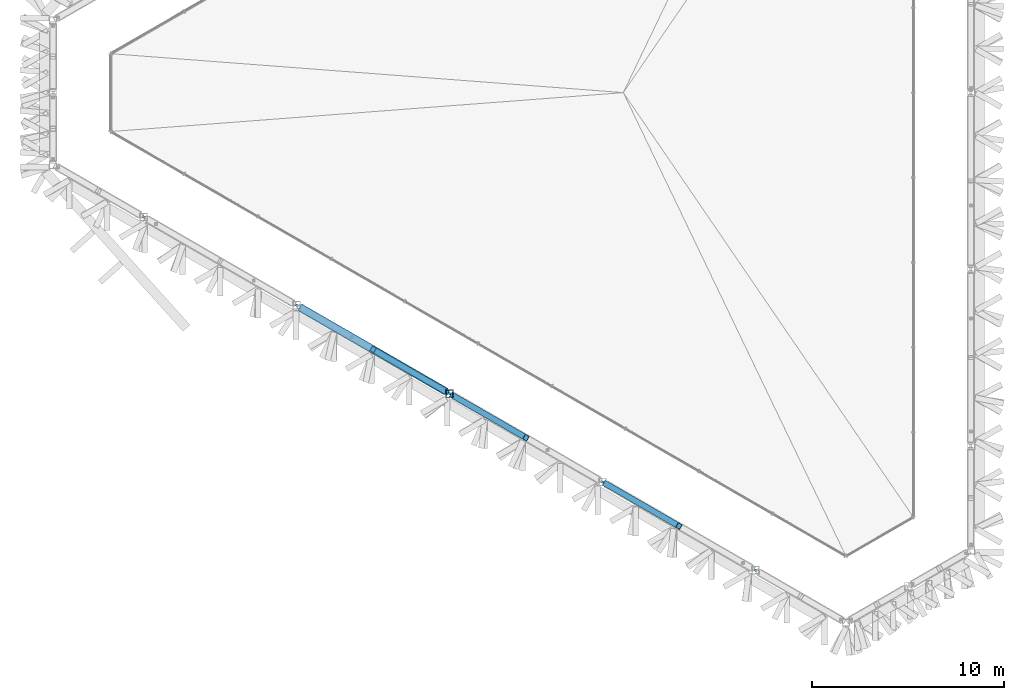
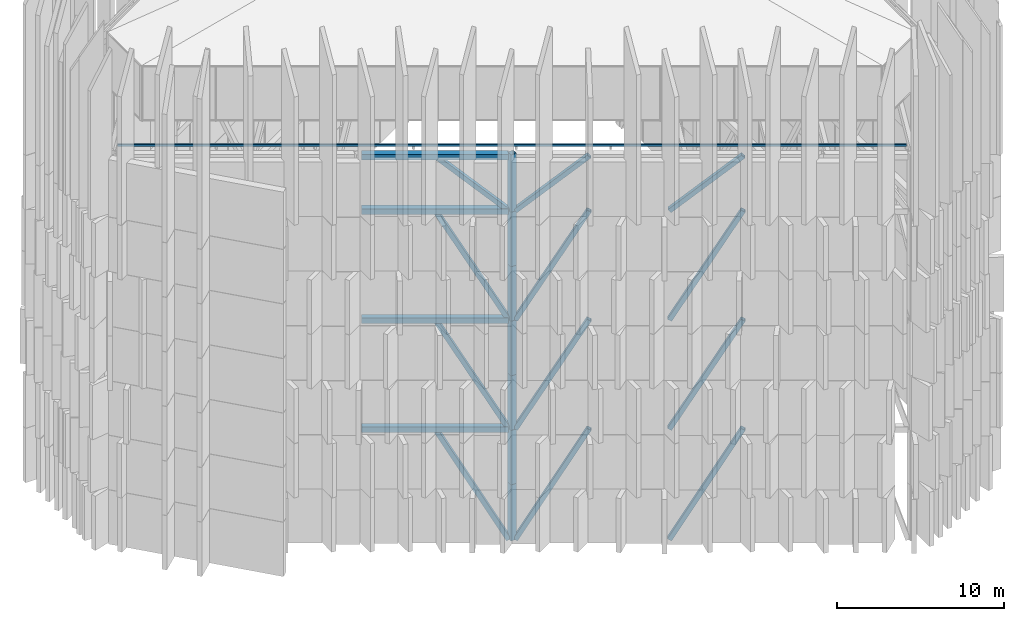
# One storey, part 1 of 45: 24 members.
"""IFC4 building model written with IfcOpenShell, lengths in metres."""

from ifc_helpers import new_model, si_unit, direction, frame, origin, origin_2d, place, context, subcontext, project, spatial, hollow_rectangle, extrude, material, material_profile, profile_set, type_object, element, save


model = new_model("IFC4")

# Units and contexts
model_context = context("Model", 3, precision=1e-05, world=origin(), true_north=direction((0.0, 1.0)))
body_context = subcontext(model_context, "Body", "Model", "MODEL_VIEW")
ifc_project = project(units=[si_unit("LENGTHUNIT", "METRE"), si_unit("AREAUNIT", "SQUARE_METRE"), si_unit("VOLUMEUNIT", "CUBIC_METRE"), si_unit("PLANEANGLEUNIT", "RADIAN"), si_unit("MASSUNIT", "GRAM", prefix="KILO")], contexts=[model_context])

# Site, building, storey
site_placement = place(None, origin())
site = spatial("IfcSite", under=ifc_project, at=site_placement, CompositionType="ELEMENT")
building_placement = place(site_placement, origin())
building = spatial("IfcBuilding", under=site, at=building_placement, Name="Jabali Bay Hotel Tower and Convention Centre", CompositionType="ELEMENT")
storey_placement = place(building_placement, frame((0.0, 0.0, 322.39990234375)))
storey = spatial("IfcBuildingStorey", under=building, at=storey_placement, Name="Crown", CompositionType="ELEMENT", Elevation=322.39990234375)

# Members
ifc_material_1 = material(Name="Steel Q355B", Category="steel")
ifc_material_profile_1 = material_profile(ifc_material_1, hollow_rectangle(XDim=0.1201171875, YDim=0.1201171875, WallThickness=0.008056640625, at=origin_2d()), Name="BMU rail")
ifc_profile_set_1 = profile_set([ifc_material_profile_1], Name="Steel Q355B")
member_type_1 = type_object("IfcMemberType", Name="BMU rail", PredefinedType="USERDEFINED", material=ifc_profile_set_1)
member_1_placement = place(storey_placement, frame((45.485595703125, 76.083740234375, 28.66015625), z_axis=(0.866025042038, -0.500000626562, 0.0), x_axis=(0.500000626562, 0.866025042038, 0.0)))
element("IfcMember", 1, at=member_1_placement, inside=storey, type_object=member_type_1, Name="BMU rail 5", ObjectType="BMU RAIL", PredefinedType="USERDEFINED", context=body_context, shape_type="SweptSolid", body=[
    extrude(hollow_rectangle(XDim=0.1201171875, YDim=0.1201171875, WallThickness=0.008056640625, at=origin_2d()), origin(), (0.0, 0.0, 1.0), 47.2041015625),
])
ifc_material_2 = material(Name="Steel Q420GJC", Category="steel")
ifc_material_profile_2 = material_profile(ifc_material_2, hollow_rectangle(XDim=0.300048828125, YDim=0.300048828125, WallThickness=0.01611328125, at=origin_2d()), Name="Crown frame brace 300x300x16")
ifc_profile_set_2 = profile_set([ifc_material_profile_2], Name="Steel Q420GJC")
member_type_2 = type_object("IfcMemberType", Name="Crown frame brace 300x300x16", PredefinedType="USERDEFINED", material=ifc_profile_set_2)
for number, where, z_axis, x_axis, name in (
    (2, (65.75244140625, 64.3828125, -0.099853515625), (-0.415337197949, 0.239785036188, 0.877495383703), (-0.499984350684, -0.866034438732, 0.0), "Crown brace 1 F2.2-F2.3r"),
    (3, (66.098876953125, 64.1826171875, -0.099853515625), (0.415337197949, -0.239785036188, 0.877495383703), (0.499984350684, 0.866034438732, 0.0), "Crown brace 1 F2.3-F2.4l"),
    (4, (74.0859375, 59.5712890625, -0.099853515625), (0.415337197949, -0.239785036188, 0.877495383703), (0.499984350684, 0.866034438732, 0.0), "Crown brace 1 F2.4-F2.5l"),
):
    element("IfcMember", number, at=place(storey_placement, frame(where, z_axis=z_axis, x_axis=x_axis)), inside=storey, type_object=member_type_2, Name=name, ObjectType="CROWN FRAME", PredefinedType="USERDEFINED", context=body_context, shape_type="SweptSolid", body=[
        extrude(hollow_rectangle(XDim=0.300048828125, YDim=0.300048828125, WallThickness=0.01611328125, at=origin_2d()), origin(), (0.0, 0.0, 1.0), 9.197998046875),
    ])
for number, where, z_axis, x_axis, name in (
    (5, (65.75244140625, 64.3828125, 7.971435546875), (-0.419325955277, 0.242087850203, 0.874962408344), (-0.499984350684, -0.866034438732, 0.0), "Crown brace 2 F2.2-F2.3r"),
    (6, (66.098876953125, 64.1826171875, 7.971435546875), (0.419325955277, -0.242087850203, 0.874962408344), (0.499984350684, 0.866034438732, 0.0), "Crown brace 2 F2.3-F2.4l"),
    (7, (74.0859375, 59.5712890625, 7.971435546875), (0.419325955277, -0.242087850203, 0.874962408344), (0.499984350684, 0.866034438732, 0.0), "Crown brace 2 F2.4-F2.5l"),
    (8, (65.75244140625, 64.3828125, 15.94287109375), (-0.419325955277, 0.242087850203, 0.874962408344), (-0.499984350684, -0.866034438732, 0.0), "Crown brace 3 F2.2-F2.3r"),
    (9, (66.098876953125, 64.1826171875, 15.94287109375), (0.419325955277, -0.242087850203, 0.874962408344), (0.499984350684, 0.866034438732, 0.0), "Crown brace 3 F2.3-F2.4l"),
    (10, (74.0859375, 59.5712890625, 15.94287109375), (0.419325955277, -0.242087850203, 0.874962408344), (0.499984350684, 0.866034438732, 0.0), "Crown brace 3 F2.4-F2.5l"),
):
    element("IfcMember", number, at=place(storey_placement, frame(where, z_axis=z_axis, x_axis=x_axis)), inside=storey, type_object=member_type_2, Name=name, ObjectType="CROWN FRAME", PredefinedType="USERDEFINED", context=body_context, shape_type="SweptSolid", body=[
        extrude(hollow_rectangle(XDim=0.300048828125, YDim=0.300048828125, WallThickness=0.01611328125, at=origin_2d()), origin(), (0.0, 0.0, 1.0), 9.110595703125),
    ])
for number, where, z_axis, x_axis, name in (
    (11, (65.75244140625, 64.3828125, 23.914306640625), (-0.642580200518, 0.370978369854, 0.670422057366), (-0.499984350684, -0.866034438732, 0.0), "Crown brace 4 F2.2-F2.3r"),
    (12, (66.098876953125, 64.1826171875, 23.914306640625), (0.642580200518, -0.370978369854, 0.670422057366), (0.499984350684, 0.866034438732, 0.0), "Crown brace 4 F2.3-F2.4l"),
    (13, (74.0859375, 59.5712890625, 23.914306640625), (0.642580200518, -0.370978369854, 0.670422057366), (0.499984350684, 0.866034438732, 0.0), "Crown brace 4 F2.4-F2.5l"),
):
    element("IfcMember", number, at=place(storey_placement, frame(where, z_axis=z_axis, x_axis=x_axis)), inside=storey, type_object=member_type_2, Name=name, ObjectType="CROWN FRAME", PredefinedType="USERDEFINED", context=body_context, shape_type="SweptSolid", body=[
        extrude(hollow_rectangle(XDim=0.300048828125, YDim=0.300048828125, WallThickness=0.01611328125, at=origin_2d()), origin(), (0.0, 0.0, 1.0), 5.9453125),
    ])
ifc_material_profile_3 = material_profile(ifc_material_2, hollow_rectangle(XDim=0.39990234375, YDim=0.39990234375, WallThickness=0.02001953125, at=origin_2d()), Name="Crown frame member 400x400x20")
ifc_profile_set_3 = profile_set([ifc_material_profile_3], Name="Steel Q420GJC")
member_type_3 = type_object("IfcMemberType", Name="Crown frame member 400x400x20", PredefinedType="USERDEFINED", material=ifc_profile_set_3)
member_2_placement = place(storey_placement, frame((65.925537109375, 64.28271484375, -0.099853515625), z_axis=(0.0, 0.0, 1.0), x_axis=(1.0, 0.0, 0.0)))
element("IfcMember", 14, at=member_2_placement, inside=storey, type_object=member_type_3, Name="Crown post F2.3 1", ObjectType="CROWN FRAME", PredefinedType="USERDEFINED", context=body_context, shape_type="SweptSolid", body=[
    extrude(hollow_rectangle(XDim=0.39990234375, YDim=0.39990234375, WallThickness=0.02001953125, at=origin_2d()), origin(), (0.0, 0.0, 1.0), 4.085693359375),
])
member_3_placement = place(storey_placement, frame((65.925537109375, 64.28271484375, 3.98583984375), z_axis=(0.0, 0.0, 1.0), x_axis=(1.0, 0.0, 0.0)))
element("IfcMember", 15, at=member_3_placement, inside=storey, type_object=member_type_3, Name="Crown post F2.3 2", ObjectType="CROWN FRAME", PredefinedType="USERDEFINED", context=body_context, shape_type="SweptSolid", body=[
    extrude(hollow_rectangle(XDim=0.39990234375, YDim=0.39990234375, WallThickness=0.02001953125, at=origin_2d()), origin(), (0.0, 0.0, 1.0), 3.985595703125),
])
member_4_placement = place(storey_placement, frame((65.925537109375, 64.28271484375, 7.971435546875), z_axis=(0.0, 0.0, 1.0), x_axis=(1.0, 0.0, 0.0)))
element("IfcMember", 16, at=member_4_placement, inside=storey, type_object=member_type_3, Name="Crown post F2.3 3", ObjectType="CROWN FRAME", PredefinedType="USERDEFINED", context=body_context, shape_type="SweptSolid", body=[
    extrude(hollow_rectangle(XDim=0.39990234375, YDim=0.39990234375, WallThickness=0.02001953125, at=origin_2d()), origin(), (0.0, 0.0, 1.0), 3.98583984375),
])
member_5_placement = place(storey_placement, frame((65.925537109375, 64.28271484375, 11.957275390625), z_axis=(0.0, 0.0, 1.0), x_axis=(1.0, 0.0, 0.0)))
element("IfcMember", 17, at=member_5_placement, inside=storey, type_object=member_type_3, Name="Crown post F2.3 4", ObjectType="CROWN FRAME", PredefinedType="USERDEFINED", context=body_context, shape_type="SweptSolid", body=[
    extrude(hollow_rectangle(XDim=0.39990234375, YDim=0.39990234375, WallThickness=0.02001953125, at=origin_2d()), origin(), (0.0, 0.0, 1.0), 3.985595703125),
])
member_6_placement = place(storey_placement, frame((65.925537109375, 64.28271484375, 15.94287109375), z_axis=(0.0, 0.0, 1.0), x_axis=(1.0, 0.0, 0.0)))
element("IfcMember", 18, at=member_6_placement, inside=storey, type_object=member_type_3, Name="Crown post F2.3 5", ObjectType="CROWN FRAME", PredefinedType="USERDEFINED", context=body_context, shape_type="SweptSolid", body=[
    extrude(hollow_rectangle(XDim=0.39990234375, YDim=0.39990234375, WallThickness=0.02001953125, at=origin_2d()), origin(), (0.0, 0.0, 1.0), 3.98583984375),
])
member_7_placement = place(storey_placement, frame((65.925537109375, 64.28271484375, 19.9287109375), z_axis=(0.0, 0.0, 1.0), x_axis=(1.0, 0.0, 0.0)))
element("IfcMember", 19, at=member_7_placement, inside=storey, type_object=member_type_3, Name="Crown post F2.3 6", ObjectType="CROWN FRAME", PredefinedType="USERDEFINED", context=body_context, shape_type="SweptSolid", body=[
    extrude(hollow_rectangle(XDim=0.39990234375, YDim=0.39990234375, WallThickness=0.02001953125, at=origin_2d()), origin(), (0.0, 0.0, 1.0), 3.985595703125),
])
member_8_placement = place(storey_placement, frame((65.925537109375, 64.28271484375, 23.914306640625), z_axis=(0.0, 0.0, 1.0), x_axis=(1.0, 0.0, 0.0)))
element("IfcMember", 20, at=member_8_placement, inside=storey, type_object=member_type_3, Name="Crown post F2.3 7", ObjectType="CROWN FRAME", PredefinedType="USERDEFINED", context=body_context, shape_type="SweptSolid", body=[
    extrude(hollow_rectangle(XDim=0.39990234375, YDim=0.39990234375, WallThickness=0.02001953125, at=origin_2d()), origin(), (0.0, 0.0, 1.0), 4.185791015625),
])
for number, where, z_axis, x_axis, name in (
    (21, (58.111572265625, 68.794189453125, 7.971435546875), (0.866029374302, -0.499993122799, 0.0), (0.499993122799, 0.866029374302, 0.0), "Crown ring 330.371 F2.2-F2.3"),
    (22, (58.111572265625, 68.794189453125, 15.94287109375), (0.866029374302, -0.499993122799, 0.0), (0.499993122799, 0.866029374302, 0.0), "Crown ring 338.343 F2.2-F2.3"),
    (23, (58.111572265625, 68.794189453125, 23.914306640625), (0.866029374302, -0.499993122799, 0.0), (0.499993122799, 0.866029374302, 0.0), "Crown ring 346.314 F2.2-F2.3"),
    (24, (58.111572265625, 68.794189453125, 27.900146484375), (0.866029374302, -0.499993122799, 0.0), (0.499993122799, 0.866029374302, 0.0), "Crown ring 350.3 F2.2-F2.3"),
):
    element("IfcMember", number, at=place(storey_placement, frame(where, z_axis=z_axis, x_axis=x_axis)), inside=storey, type_object=member_type_3, Name=name, ObjectType="CROWN FRAME", PredefinedType="USERDEFINED", context=body_context, shape_type="SweptSolid", body=[
        extrude(hollow_rectangle(XDim=0.39990234375, YDim=0.39990234375, WallThickness=0.02001953125, at=origin_2d()), origin(), (0.0, 0.0, 1.0), 8.82275390625),
    ])

save(model, "model.ifc")
